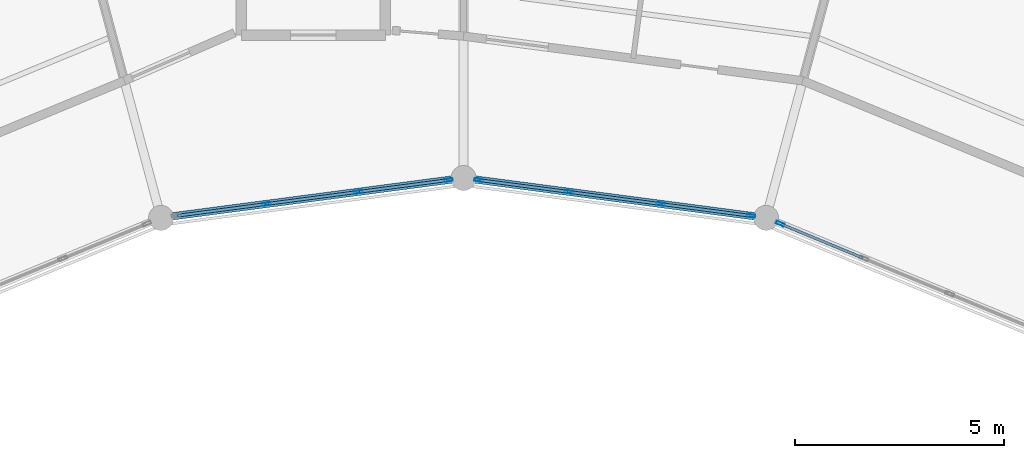
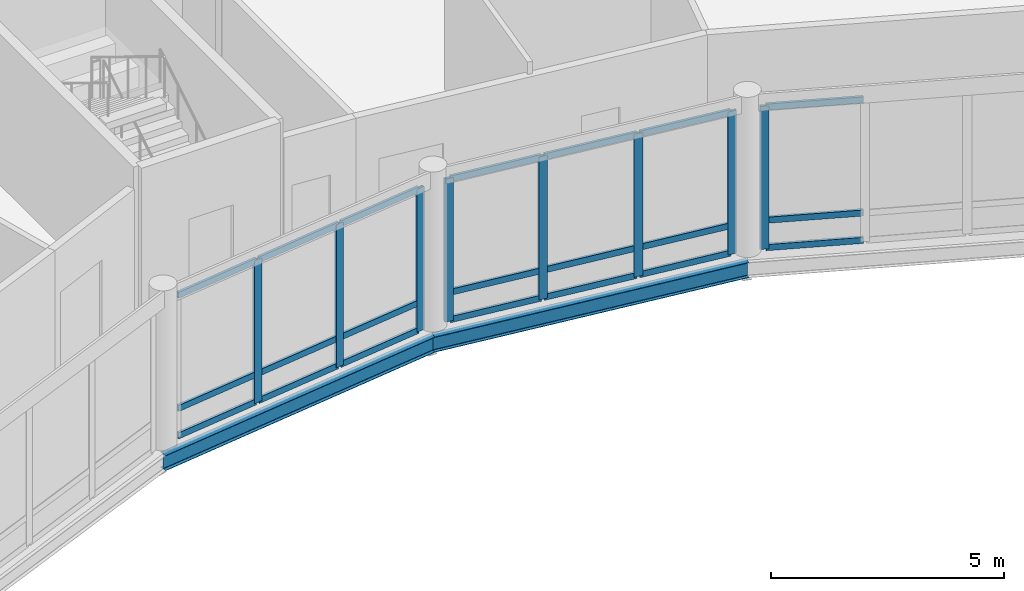
# One storey, part 89 of 185: 29 members, 2 beams, 3 elements without a shape of their own.
"""IFC4 building model written with IfcOpenShell, lengths in metres."""

from ifc_helpers import new_model, si_unit, direction, frame, origin, origin_2d, place, context, subcontext, project, spatial, hollow_rectangle, i_section, extrude, material, material_profile, profile_set, type_object, element, aggregate, save


model = new_model("IFC4")

# Units and contexts
model_context = context("Model", 3, precision=1e-05, world=origin(), true_north=direction((0.0, 1.0)))
body_context = subcontext(model_context, "Body", "Model", "MODEL_VIEW")
ifc_project = project(units=[si_unit("LENGTHUNIT", "METRE"), si_unit("AREAUNIT", "SQUARE_METRE"), si_unit("VOLUMEUNIT", "CUBIC_METRE"), si_unit("PLANEANGLEUNIT", "RADIAN"), si_unit("MASSUNIT", "GRAM", prefix="KILO")], contexts=[model_context])

# Site, building, storey
site_placement = place(None, origin())
site = spatial("IfcSite", under=ifc_project, at=site_placement, CompositionType="ELEMENT")
building_placement = place(site_placement, origin())
building = spatial("IfcBuilding", under=site, at=building_placement, Name="Vondelvale Polytechnic", CompositionType="ELEMENT")
storey_placement = place(building_placement, frame((0.0, 0.0, 9.60009765625)))
storey = spatial("IfcBuildingStorey", under=building, at=storey_placement, Name="L02", CompositionType="ELEMENT", Elevation=9.60009765625)

# Beams
ifc_material_1 = material(Name="Steel 300PLUS (fy = 300 MPa)", Category="steel")
ifc_material_profile_1 = material_profile(ifc_material_1, i_section(OverallWidth=0.177978515625, OverallDepth=0.403076171875, WebThickness=0.007568359375, FlangeThickness=0.010986328125, FilletRadius=0.011474609375, at=origin_2d()), Name="410UB53.7")
ifc_profile_set_1 = profile_set([ifc_material_profile_1], Name="Steel 300PLUS (fy = 300 MPa)")
beam_type = type_object("IfcBeamType", Name="BM-UB410L", PredefinedType="BEAM", material=ifc_profile_set_1)
for number, where, z_axis, x_axis, name in (
    (1, (109.246826171875, 99.0458984375, -0.481689453125), (-0.991444174467, 0.13053140969, 0.0), (-0.13053140969, -0.991444174467, 0.0), "L02 RB B-23"),
    (2, (102.0, 100.0, -0.481689453125), (-0.991444174467, -0.13053140969, 0.0), (0.13053140969, -0.991444174467, 0.0), "L02 RB B-23"),
):
    element("IfcBeam", number, at=place(storey_placement, frame(where, z_axis=z_axis, x_axis=x_axis)), inside=storey, type_object=beam_type, Name=name, PredefinedType="BEAM", context=body_context, shape_type="SweptSolid", body=[
        extrude(i_section(OverallWidth=0.177978515625, OverallDepth=0.403076171875, WebThickness=0.007568359375, FlangeThickness=0.010986328125, FilletRadius=0.011474609375, at=origin_2d()), origin(), (0.0, 0.0, 1.0), 7.309326171875),
    ])

# Curtain wall, member
ifc_material_2 = material(Name="Anodised extruded aluminium 6063-T6", Category="aluminium")
curtain_wall_type = type_object("IfcCurtainWallType", Name="CW-RING-CLOISTER", PredefinedType="NOTDEFINED", material=ifc_material_2)
curtain_wall_1_placement = place(storey_placement, origin())
curtain_wall_1 = element("IfcCurtainWall", 3, at=curtain_wall_1_placement, inside=storey, type_object=curtain_wall_type, Name="L02 architectural curtain wall CW-03-119", PredefinedType="NOTDEFINED")
ifc_material_profile_2 = material_profile(ifc_material_2, hollow_rectangle(XDim=0.070068359375, YDim=0.199951171875, WallThickness=0.00390625, at=origin_2d()), Name="CW-MUL-200x70")
ifc_profile_set_2 = profile_set([ifc_material_profile_2], Name="Anodised extruded aluminium 6063-T6")
member_type_1 = type_object("IfcMemberType", Name="CW-MUL-70x200", PredefinedType="MULLION", material=ifc_profile_set_2)
member_1_placement = place(storey_placement, frame((109.584228515625, 98.90625, 0.0), z_axis=(0.0, 0.0, 1.0), x_axis=(-0.382678531697, -0.923881562419, 0.0)))
member_1 = element("IfcMember", 4, at=member_1_placement, type_object=member_type_1, Name="CW-03-119 mullion 4", PredefinedType="MULLION", context=body_context, shape_type="SweptSolid", body=[
    extrude(hollow_rectangle(XDim=0.070068359375, YDim=0.199951171875, WallThickness=0.00390625, at=origin_2d()), origin(), (0.0, 0.0, 1.0), 3.75),
])

# Curtain wall, members
curtain_wall_2_placement = place(storey_placement, origin())
curtain_wall_2 = element("IfcCurtainWall", 5, at=curtain_wall_2_placement, inside=storey, type_object=curtain_wall_type, Name="L02 architectural curtain wall CW-03-139", PredefinedType="NOTDEFINED")
member_2_placement = place(storey_placement, frame((108.886474609375, 99.09326171875, 0.0), z_axis=(0.0, 0.0, 1.0), x_axis=(-0.130528007165, -0.99144462243, 0.0)))
member_2 = element("IfcMember", 6, at=member_2_placement, type_object=member_type_1, Name="CW-03-139 mullion 1", PredefinedType="MULLION", context=body_context, shape_type="SweptSolid", body=[
    extrude(hollow_rectangle(XDim=0.070068359375, YDim=0.199951171875, WallThickness=0.00390625, at=origin_2d()), origin(), (0.0, 0.0, 1.0), 3.75),
])
member_3_placement = place(storey_placement, frame((106.72265625, 99.378173828125, 0.0), z_axis=(0.0, 0.0, 1.0), x_axis=(-0.130528007165, -0.99144462243, 0.0)))
member_3 = element("IfcMember", 7, at=member_3_placement, type_object=member_type_1, Name="CW-03-139 mullion 2", PredefinedType="MULLION", context=body_context, shape_type="SweptSolid", body=[
    extrude(hollow_rectangle(XDim=0.070068359375, YDim=0.199951171875, WallThickness=0.00390625, at=origin_2d()), origin(), (0.0, 0.0, 1.0), 3.75),
])
member_4_placement = place(storey_placement, frame((104.524169921875, 99.667724609375, 0.0), z_axis=(0.0, 0.0, 1.0), x_axis=(-0.130528007165, -0.99144462243, 0.0)))
member_4 = element("IfcMember", 8, at=member_4_placement, type_object=member_type_1, Name="CW-03-139 mullion 3", PredefinedType="MULLION", context=body_context, shape_type="SweptSolid", body=[
    extrude(hollow_rectangle(XDim=0.070068359375, YDim=0.199951171875, WallThickness=0.00390625, at=origin_2d()), origin(), (0.0, 0.0, 1.0), 3.75),
])
member_5_placement = place(storey_placement, frame((102.360595703125, 99.95263671875, 0.0), z_axis=(0.0, 0.0, 1.0), x_axis=(-0.130528007165, -0.99144462243, 0.0)))
member_5 = element("IfcMember", 9, at=member_5_placement, type_object=member_type_1, Name="CW-03-139 mullion 4", PredefinedType="MULLION", context=body_context, shape_type="SweptSolid", body=[
    extrude(hollow_rectangle(XDim=0.070068359375, YDim=0.199951171875, WallThickness=0.00390625, at=origin_2d()), origin(), (0.0, 0.0, 1.0), 3.75),
])

curtain_wall_3_placement = place(storey_placement, origin())
curtain_wall_3 = element("IfcCurtainWall", 10, at=curtain_wall_3_placement, inside=storey, type_object=curtain_wall_type, Name="L02 architectural curtain wall CW-03-159", PredefinedType="NOTDEFINED")
member_6_placement = place(storey_placement, frame((101.639404296875, 99.95263671875, 0.0), z_axis=(0.0, 0.0, 1.0), x_axis=(0.130528007165, -0.99144462243, 0.0)))
member_6 = element("IfcMember", 11, at=member_6_placement, type_object=member_type_1, Name="CW-03-159 mullion 1", PredefinedType="MULLION", context=body_context, shape_type="SweptSolid", body=[
    extrude(hollow_rectangle(XDim=0.070068359375, YDim=0.199951171875, WallThickness=0.00390625, at=origin_2d()), origin(), (0.0, 0.0, 1.0), 3.75),
])
member_7_placement = place(storey_placement, frame((99.475830078125, 99.667724609375, 0.0), z_axis=(0.0, 0.0, 1.0), x_axis=(0.130528007165, -0.99144462243, 0.0)))
member_7 = element("IfcMember", 12, at=member_7_placement, type_object=member_type_1, Name="CW-03-159 mullion 2", PredefinedType="MULLION", context=body_context, shape_type="SweptSolid", body=[
    extrude(hollow_rectangle(XDim=0.070068359375, YDim=0.199951171875, WallThickness=0.00390625, at=origin_2d()), origin(), (0.0, 0.0, 1.0), 3.75),
])
member_8_placement = place(storey_placement, frame((97.27734375, 99.378173828125, 0.0), z_axis=(0.0, 0.0, 1.0), x_axis=(0.130528007165, -0.99144462243, 0.0)))
member_8 = element("IfcMember", 13, at=member_8_placement, type_object=member_type_1, Name="CW-03-159 mullion 3", PredefinedType="MULLION", context=body_context, shape_type="SweptSolid", body=[
    extrude(hollow_rectangle(XDim=0.070068359375, YDim=0.199951171875, WallThickness=0.00390625, at=origin_2d()), origin(), (0.0, 0.0, 1.0), 3.75),
])

# Member
ifc_material_profile_3 = material_profile(ifc_material_2, hollow_rectangle(XDim=0.06494140625, YDim=0.159912109375, WallThickness=0.00341796875, at=origin_2d()), Name="CW-TRN-160x65")
ifc_profile_set_3 = profile_set([ifc_material_profile_3], Name="Anodised extruded aluminium 6063-T6")
member_type_2 = type_object("IfcMemberType", Name="CW-TRN-70x160", PredefinedType="USERDEFINED", material=ifc_profile_set_3)
member_9_placement = place(storey_placement, frame((111.567138671875, 98.084716796875, 0.032470703125), z_axis=(-0.923861804277, 0.382726229306, 0.0), x_axis=(-0.382726229306, -0.923861804277, 0.0)))
member_9 = element("IfcMember", 14, at=member_9_placement, type_object=member_type_2, Name="CW-03-119 transom 3.1", ObjectType="TRANSOM", PredefinedType="USERDEFINED", context=body_context, shape_type="SweptSolid", body=[
    extrude(hollow_rectangle(XDim=0.06494140625, YDim=0.159912109375, WallThickness=0.00341796875, at=origin_2d()), origin(), (0.0, 0.0, 1.0), 2.111328125),
])

member_10_placement = place(storey_placement, frame((111.567138671875, 98.084716796875, 0.75), z_axis=(-0.923861804277, 0.382726229306, 0.0), x_axis=(-0.382726229306, -0.923861804277, 0.0)))
member_10 = element("IfcMember", 15, at=member_10_placement, type_object=member_type_2, Name="CW-03-119 transom 3.2", ObjectType="TRANSOM", PredefinedType="USERDEFINED", context=body_context, shape_type="SweptSolid", body=[
    extrude(hollow_rectangle(XDim=0.06494140625, YDim=0.159912109375, WallThickness=0.00341796875, at=origin_2d()), origin(), (0.0, 0.0, 1.0), 2.111328125),
])

member_11_placement = place(storey_placement, frame((111.567138671875, 98.084716796875, 3.71728515625), z_axis=(-0.923861804277, 0.382726229306, 0.0), x_axis=(-0.382726229306, -0.923861804277, 0.0)))
member_11 = element("IfcMember", 16, at=member_11_placement, type_object=member_type_2, Name="CW-03-119 transom 3.3", ObjectType="TRANSOM", PredefinedType="USERDEFINED", context=body_context, shape_type="SweptSolid", body=[
    extrude(hollow_rectangle(XDim=0.06494140625, YDim=0.159912109375, WallThickness=0.00341796875, at=origin_2d()), origin(), (0.0, 0.0, 1.0), 2.111328125),
])

aggregate(curtain_wall_1, [member_1, member_9, member_10, member_11])

member_12_placement = place(storey_placement, frame((108.851806640625, 99.097900390625, 0.032470703125), z_axis=(-0.991436585775, 0.130589036243, 0.0), x_axis=(-0.130589036243, -0.991436585775, 0.0)))
member_12 = element("IfcMember", 17, at=member_12_placement, type_object=member_type_2, Name="CW-03-139 transom 1.1", ObjectType="TRANSOM", PredefinedType="USERDEFINED", context=body_context, shape_type="SweptSolid", body=[
    extrude(hollow_rectangle(XDim=0.06494140625, YDim=0.159912109375, WallThickness=0.00341796875, at=origin_2d()), origin(), (0.0, 0.0, 1.0), 2.112548828125),
])

member_13_placement = place(storey_placement, frame((108.851806640625, 99.097900390625, 0.75), z_axis=(-0.991436585775, 0.130589036243, 0.0), x_axis=(-0.130589036243, -0.991436585775, 0.0)))
member_13 = element("IfcMember", 18, at=member_13_placement, type_object=member_type_2, Name="CW-03-139 transom 1.2", ObjectType="TRANSOM", PredefinedType="USERDEFINED", context=body_context, shape_type="SweptSolid", body=[
    extrude(hollow_rectangle(XDim=0.06494140625, YDim=0.159912109375, WallThickness=0.00341796875, at=origin_2d()), origin(), (0.0, 0.0, 1.0), 2.112548828125),
])

member_14_placement = place(storey_placement, frame((108.851806640625, 99.097900390625, 3.71728515625), z_axis=(-0.991436585775, 0.130589036243, 0.0), x_axis=(-0.130589036243, -0.991436585775, 0.0)))
member_14 = element("IfcMember", 19, at=member_14_placement, type_object=member_type_2, Name="CW-03-139 transom 1.3", ObjectType="TRANSOM", PredefinedType="USERDEFINED", context=body_context, shape_type="SweptSolid", body=[
    extrude(hollow_rectangle(XDim=0.06494140625, YDim=0.159912109375, WallThickness=0.00341796875, at=origin_2d()), origin(), (0.0, 0.0, 1.0), 2.112548828125),
])

member_15_placement = place(storey_placement, frame((106.68798828125, 99.3828125, 0.032470703125), z_axis=(-0.991446941977, 0.1305103875, 0.0), x_axis=(-0.1305103875, -0.991446941977, 0.0)))
member_15 = element("IfcMember", 20, at=member_15_placement, type_object=member_type_2, Name="CW-03-139 transom 2.1", ObjectType="TRANSOM", PredefinedType="USERDEFINED", context=body_context, shape_type="SweptSolid", body=[
    extrude(hollow_rectangle(XDim=0.06494140625, YDim=0.159912109375, WallThickness=0.00341796875, at=origin_2d()), origin(), (0.0, 0.0, 1.0), 2.1474609375),
])

member_16_placement = place(storey_placement, frame((106.68798828125, 99.3828125, 0.75), z_axis=(-0.991446941977, 0.1305103875, 0.0), x_axis=(-0.1305103875, -0.991446941977, 0.0)))
member_16 = element("IfcMember", 21, at=member_16_placement, type_object=member_type_2, Name="CW-03-139 transom 2.2", ObjectType="TRANSOM", PredefinedType="USERDEFINED", context=body_context, shape_type="SweptSolid", body=[
    extrude(hollow_rectangle(XDim=0.06494140625, YDim=0.159912109375, WallThickness=0.00341796875, at=origin_2d()), origin(), (0.0, 0.0, 1.0), 2.1474609375),
])

member_17_placement = place(storey_placement, frame((106.68798828125, 99.3828125, 3.71728515625), z_axis=(-0.991446941977, 0.1305103875, 0.0), x_axis=(-0.1305103875, -0.991446941977, 0.0)))
member_17 = element("IfcMember", 22, at=member_17_placement, type_object=member_type_2, Name="CW-03-139 transom 2.3", ObjectType="TRANSOM", PredefinedType="USERDEFINED", context=body_context, shape_type="SweptSolid", body=[
    extrude(hollow_rectangle(XDim=0.06494140625, YDim=0.159912109375, WallThickness=0.00341796875, at=origin_2d()), origin(), (0.0, 0.0, 1.0), 2.1474609375),
])

member_18_placement = place(storey_placement, frame((104.489501953125, 99.672119140625, 0.032470703125), z_axis=(-0.99143461464, 0.130604000296, 0.0), x_axis=(-0.130604000296, -0.99143461464, 0.0)))
member_18 = element("IfcMember", 23, at=member_18_placement, type_object=member_type_2, Name="CW-03-139 transom 3.1", ObjectType="TRANSOM", PredefinedType="USERDEFINED", context=body_context, shape_type="SweptSolid", body=[
    extrude(hollow_rectangle(XDim=0.06494140625, YDim=0.159912109375, WallThickness=0.00341796875, at=origin_2d()), origin(), (0.0, 0.0, 1.0), 2.1123046875),
])

member_19_placement = place(storey_placement, frame((104.489501953125, 99.672119140625, 0.75), z_axis=(-0.99143461464, 0.130604000296, 0.0), x_axis=(-0.130604000296, -0.99143461464, 0.0)))
member_19 = element("IfcMember", 24, at=member_19_placement, type_object=member_type_2, Name="CW-03-139 transom 3.2", ObjectType="TRANSOM", PredefinedType="USERDEFINED", context=body_context, shape_type="SweptSolid", body=[
    extrude(hollow_rectangle(XDim=0.06494140625, YDim=0.159912109375, WallThickness=0.00341796875, at=origin_2d()), origin(), (0.0, 0.0, 1.0), 2.1123046875),
])

member_20_placement = place(storey_placement, frame((104.489501953125, 99.672119140625, 3.71728515625), z_axis=(-0.99143461464, 0.130604000296, 0.0), x_axis=(-0.130604000296, -0.99143461464, 0.0)))
member_20 = element("IfcMember", 25, at=member_20_placement, type_object=member_type_2, Name="CW-03-139 transom 3.3", ObjectType="TRANSOM", PredefinedType="USERDEFINED", context=body_context, shape_type="SweptSolid", body=[
    extrude(hollow_rectangle(XDim=0.06494140625, YDim=0.159912109375, WallThickness=0.00341796875, at=origin_2d()), origin(), (0.0, 0.0, 1.0), 2.1123046875),
])

aggregate(curtain_wall_2, [member_2, member_3, member_4, member_5, member_12, member_13, member_14, member_15, member_16, member_17, member_18, member_19, member_20])

member_21_placement = place(storey_placement, frame((101.604736328125, 99.947998046875, 0.032470703125), z_axis=(-0.99143461464, -0.130604000296, 0.0), x_axis=(0.130604000296, -0.99143461464, 0.0)))
member_21 = element("IfcMember", 26, at=member_21_placement, type_object=member_type_2, Name="CW-03-159 transom 1.1", ObjectType="TRANSOM", PredefinedType="USERDEFINED", context=body_context, shape_type="SweptSolid", body=[
    extrude(hollow_rectangle(XDim=0.06494140625, YDim=0.159912109375, WallThickness=0.00341796875, at=origin_2d()), origin(), (0.0, 0.0, 1.0), 2.1123046875),
])

member_22_placement = place(storey_placement, frame((101.604736328125, 99.947998046875, 0.75), z_axis=(-0.99143461464, -0.130604000296, 0.0), x_axis=(0.130604000296, -0.99143461464, 0.0)))
member_22 = element("IfcMember", 27, at=member_22_placement, type_object=member_type_2, Name="CW-03-159 transom 1.2", ObjectType="TRANSOM", PredefinedType="USERDEFINED", context=body_context, shape_type="SweptSolid", body=[
    extrude(hollow_rectangle(XDim=0.06494140625, YDim=0.159912109375, WallThickness=0.00341796875, at=origin_2d()), origin(), (0.0, 0.0, 1.0), 2.1123046875),
])

member_23_placement = place(storey_placement, frame((101.604736328125, 99.947998046875, 3.71728515625), z_axis=(-0.99143461464, -0.130604000296, 0.0), x_axis=(0.130604000296, -0.99143461464, 0.0)))
member_23 = element("IfcMember", 28, at=member_23_placement, type_object=member_type_2, Name="CW-03-159 transom 1.3", ObjectType="TRANSOM", PredefinedType="USERDEFINED", context=body_context, shape_type="SweptSolid", body=[
    extrude(hollow_rectangle(XDim=0.06494140625, YDim=0.159912109375, WallThickness=0.00341796875, at=origin_2d()), origin(), (0.0, 0.0, 1.0), 2.1123046875),
])

member_24_placement = place(storey_placement, frame((99.441162109375, 99.6630859375, 0.032470703125), z_axis=(-0.991446941977, -0.1305103875, 0.0), x_axis=(0.1305103875, -0.991446941977, 0.0)))
member_24 = element("IfcMember", 29, at=member_24_placement, type_object=member_type_2, Name="CW-03-159 transom 2.1", ObjectType="TRANSOM", PredefinedType="USERDEFINED", context=body_context, shape_type="SweptSolid", body=[
    extrude(hollow_rectangle(XDim=0.06494140625, YDim=0.159912109375, WallThickness=0.00341796875, at=origin_2d()), origin(), (0.0, 0.0, 1.0), 2.1474609375),
])

member_25_placement = place(storey_placement, frame((99.441162109375, 99.6630859375, 0.75), z_axis=(-0.991446941977, -0.1305103875, 0.0), x_axis=(0.1305103875, -0.991446941977, 0.0)))
member_25 = element("IfcMember", 30, at=member_25_placement, type_object=member_type_2, Name="CW-03-159 transom 2.2", ObjectType="TRANSOM", PredefinedType="USERDEFINED", context=body_context, shape_type="SweptSolid", body=[
    extrude(hollow_rectangle(XDim=0.06494140625, YDim=0.159912109375, WallThickness=0.00341796875, at=origin_2d()), origin(), (0.0, 0.0, 1.0), 2.1474609375),
])

member_26_placement = place(storey_placement, frame((99.441162109375, 99.6630859375, 3.71728515625), z_axis=(-0.991446941977, -0.1305103875, 0.0), x_axis=(0.1305103875, -0.991446941977, 0.0)))
member_26 = element("IfcMember", 31, at=member_26_placement, type_object=member_type_2, Name="CW-03-159 transom 2.3", ObjectType="TRANSOM", PredefinedType="USERDEFINED", context=body_context, shape_type="SweptSolid", body=[
    extrude(hollow_rectangle(XDim=0.06494140625, YDim=0.159912109375, WallThickness=0.00341796875, at=origin_2d()), origin(), (0.0, 0.0, 1.0), 2.1474609375),
])

member_27_placement = place(storey_placement, frame((97.24267578125, 99.373779296875, 0.032470703125), z_axis=(-0.991436585775, -0.130589036243, 0.0), x_axis=(0.130589036243, -0.991436585775, 0.0)))
member_27 = element("IfcMember", 32, at=member_27_placement, type_object=member_type_2, Name="CW-03-159 transom 3.1", ObjectType="TRANSOM", PredefinedType="USERDEFINED", context=body_context, shape_type="SweptSolid", body=[
    extrude(hollow_rectangle(XDim=0.06494140625, YDim=0.159912109375, WallThickness=0.00341796875, at=origin_2d()), origin(), (0.0, 0.0, 1.0), 2.112548828125),
])

member_28_placement = place(storey_placement, frame((97.24267578125, 99.373779296875, 0.75), z_axis=(-0.991436585775, -0.130589036243, 0.0), x_axis=(0.130589036243, -0.991436585775, 0.0)))
member_28 = element("IfcMember", 33, at=member_28_placement, type_object=member_type_2, Name="CW-03-159 transom 3.2", ObjectType="TRANSOM", PredefinedType="USERDEFINED", context=body_context, shape_type="SweptSolid", body=[
    extrude(hollow_rectangle(XDim=0.06494140625, YDim=0.159912109375, WallThickness=0.00341796875, at=origin_2d()), origin(), (0.0, 0.0, 1.0), 2.112548828125),
])

member_29_placement = place(storey_placement, frame((97.24267578125, 99.373779296875, 3.71728515625), z_axis=(-0.991436585775, -0.130589036243, 0.0), x_axis=(0.130589036243, -0.991436585775, 0.0)))
member_29 = element("IfcMember", 34, at=member_29_placement, type_object=member_type_2, Name="CW-03-159 transom 3.3", ObjectType="TRANSOM", PredefinedType="USERDEFINED", context=body_context, shape_type="SweptSolid", body=[
    extrude(hollow_rectangle(XDim=0.06494140625, YDim=0.159912109375, WallThickness=0.00341796875, at=origin_2d()), origin(), (0.0, 0.0, 1.0), 2.112548828125),
])

aggregate(curtain_wall_3, [member_6, member_7, member_8, member_21, member_22, member_23, member_24, member_25, member_26, member_27, member_28, member_29])

save(model, "model.ifc")
